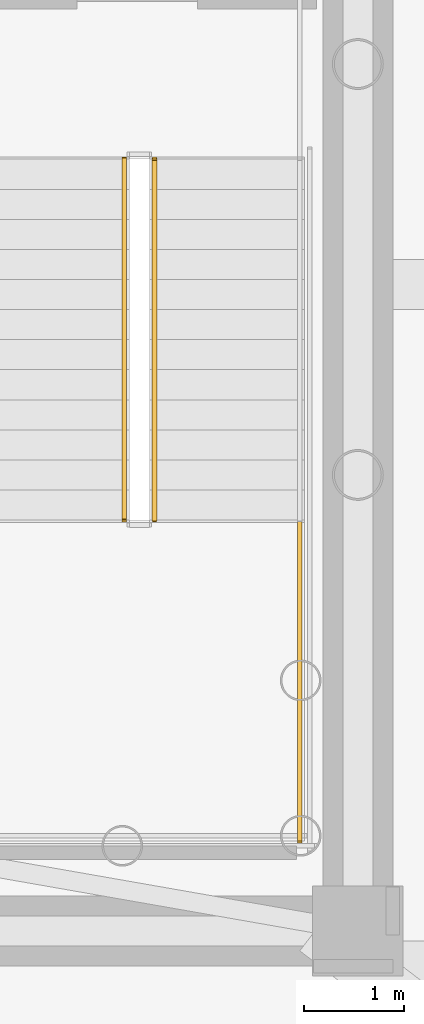
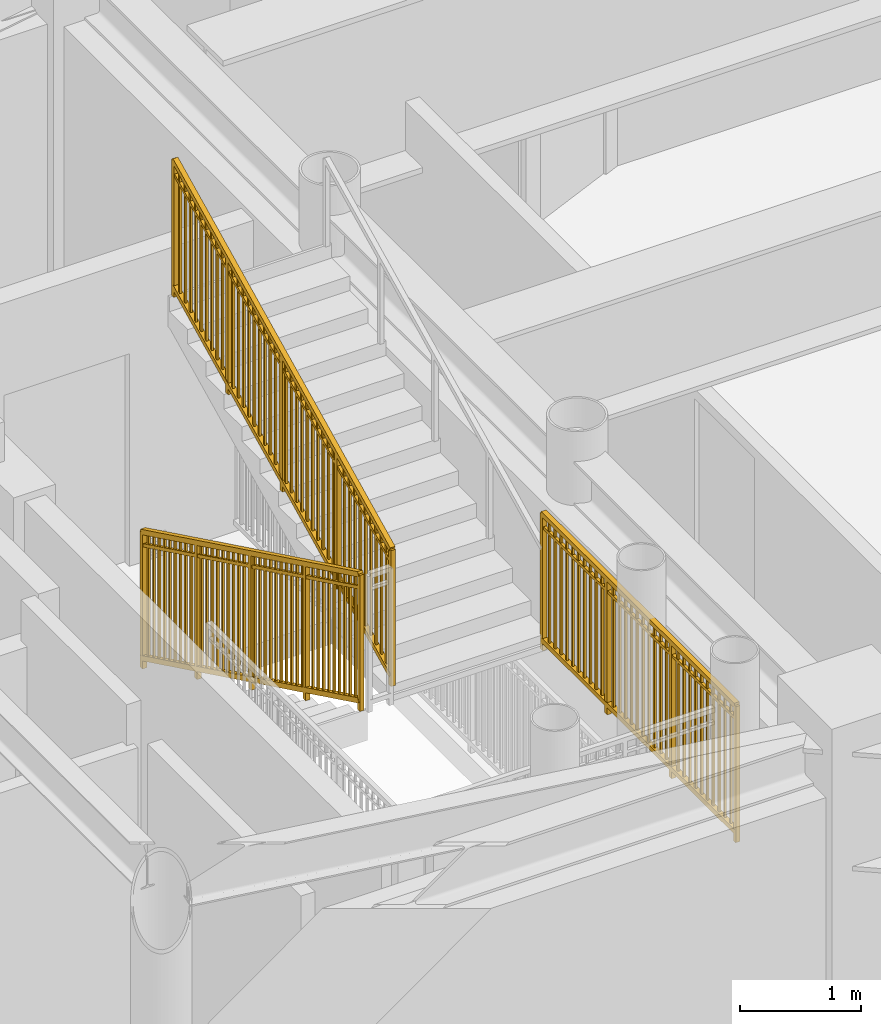
# One storey, part 13 of 16: 3 railings.
"""IFC4 building model written with IfcOpenShell, lengths in metres."""

from ifc_helpers import new_model, si_unit, direction, frame, origin, origin_2d, place, context, subcontext, project, spatial, rectangle, extrude, source, transform, mapped, material, type_object, element, save


model = new_model("IFC4")

# Units and contexts
model_context = context("Model", 3, precision=1e-05, world=origin(), true_north=direction((0.0, 1.0)))
body_context = subcontext(model_context, "Body", "Model", "MODEL_VIEW")
ifc_project = project(units=[si_unit("LENGTHUNIT", "METRE"), si_unit("AREAUNIT", "SQUARE_METRE"), si_unit("VOLUMEUNIT", "CUBIC_METRE"), si_unit("PLANEANGLEUNIT", "RADIAN"), si_unit("MASSUNIT", "GRAM", prefix="KILO")], contexts=[model_context])

# Site, building, storey
site_placement = place(None, origin())
site = spatial("IfcSite", under=ifc_project, at=site_placement, CompositionType="ELEMENT")
building_placement = place(site_placement, origin())
building = spatial("IfcBuilding", under=site, at=building_placement, Name="Linh Dai School and Residence Tower", CompositionType="ELEMENT")
storey_placement = place(building_placement, frame((0.0, 0.0, 343.0)))
storey = spatial("IfcBuildingStorey", under=building, at=storey_placement, Name="L85", CompositionType="ELEMENT", Elevation=343.0)

# Railings
ifc_material = material(Name="Structural Steel S355JR", Category="steel")
railing_type = type_object("IfcRailingType", Name="RL-ST-GUARD-1400", PredefinedType="GUARDRAIL", material=ifc_material)
shared_shape_1 = source(origin(), body_context, "Body", "SweptSolid", [
    extrude(rectangle(XDim=0.048095703125, YDim=0.048095703125, at=origin_2d()), frame((0.0, 0.0, 1.3759765625), z_axis=(0.0, 0.898988637874, 0.437971949985), x_axis=(-1.0, 0.0, 0.0)), (0.0, 0.0, 1.0), 4.004638671875),
    extrude(rectangle(XDim=0.048095703125, YDim=0.048095703125, at=origin_2d()), frame((0.0, 0.0, 0.10009765625), z_axis=(0.0, 0.898988637874, 0.437971949985), x_axis=(-1.0, 0.0, 0.0)), (0.0, 0.0, 1.0), 4.004638671875),
    extrude(rectangle(XDim=0.030029296875, YDim=0.030029296875, at=origin_2d()), frame((0.0, 0.0, 1.239990234375), z_axis=(0.0, 0.898988637874, 0.437971949985), x_axis=(-1.0, 0.0, 0.0)), (0.0, 0.0, 1.0), 4.004638671875),
    extrude(rectangle(XDim=0.02001953125, YDim=0.02001953125, at=origin_2d()), frame((0.0, 0.087890625, 0.142822265625)), (0.0, 0.0, 1.0), 1.251708984375),
    extrude(rectangle(XDim=0.02001953125, YDim=0.02001953125, at=origin_2d()), frame((0.0, 0.175537109375, 0.185546875)), (0.0, 0.0, 1.0), 1.251708984375),
    extrude(rectangle(XDim=0.02001953125, YDim=0.02001953125, at=origin_2d()), frame((0.0, 0.263427734375, 0.228515625)), (0.0, 0.0, 1.0), 1.251708984375),
    extrude(rectangle(XDim=0.02001953125, YDim=0.02001953125, at=origin_2d()), frame((0.0, 0.351318359375, 0.271240234375)), (0.0, 0.0, 1.0), 1.251708984375),
    extrude(rectangle(XDim=0.02001953125, YDim=0.02001953125, at=origin_2d()), frame((0.0, 0.43896484375, 0.31396484375)), (0.0, 0.0, 1.0), 1.251708984375),
    extrude(rectangle(XDim=0.02001953125, YDim=0.02001953125, at=origin_2d()), frame((0.0, 0.52685546875, 0.356689453125)), (0.0, 0.0, 1.0), 1.251708984375),
    extrude(rectangle(XDim=0.02001953125, YDim=0.02001953125, at=origin_2d()), frame((0.0, 0.61474609375, 0.399658203125)), (0.0, 0.0, 1.0), 1.251708984375),
    extrude(rectangle(XDim=0.02001953125, YDim=0.02001953125, at=origin_2d()), frame((0.0, 0.702392578125, 0.4423828125)), (0.0, 0.0, 1.0), 1.251708984375),
    extrude(rectangle(XDim=0.02001953125, YDim=0.02001953125, at=origin_2d()), frame((0.0, 0.790283203125, 0.485107421875)), (0.0, 0.0, 1.0), 1.251708984375),
    extrude(rectangle(XDim=0.02001953125, YDim=0.02001953125, at=origin_2d()), frame((0.0, 0.9658203125, 0.570556640625)), (0.0, 0.0, 1.0), 1.251708984375),
    extrude(rectangle(XDim=0.02001953125, YDim=0.02001953125, at=origin_2d()), frame((0.0, 1.0537109375, 0.613525390625)), (0.0, 0.0, 1.0), 1.251708984375),
    extrude(rectangle(XDim=0.02001953125, YDim=0.02001953125, at=origin_2d()), frame((0.0, 1.1416015625, 0.65625)), (0.0, 0.0, 1.0), 1.251708984375),
    extrude(rectangle(XDim=0.02001953125, YDim=0.02001953125, at=origin_2d()), frame((0.0, 1.229248046875, 0.698974609375)), (0.0, 0.0, 1.0), 1.251708984375),
    extrude(rectangle(XDim=0.02001953125, YDim=0.02001953125, at=origin_2d()), frame((0.0, 1.317138671875, 0.74169921875)), (0.0, 0.0, 1.0), 1.251708984375),
    extrude(rectangle(XDim=0.02001953125, YDim=0.02001953125, at=origin_2d()), frame((0.0, 1.405029296875, 0.78466796875)), (0.0, 0.0, 1.0), 1.251708984375),
    extrude(rectangle(XDim=0.02001953125, YDim=0.02001953125, at=origin_2d()), frame((0.0, 1.49267578125, 0.827392578125)), (0.0, 0.0, 1.0), 1.251708984375),
    extrude(rectangle(XDim=0.02001953125, YDim=0.02001953125, at=origin_2d()), frame((0.0, 1.58056640625, 0.8701171875)), (0.0, 0.0, 1.0), 1.251708984375),
    extrude(rectangle(XDim=0.02001953125, YDim=0.02001953125, at=origin_2d()), frame((0.0, 1.66845703125, 0.912841796875)), (0.0, 0.0, 1.0), 1.251708984375),
    extrude(rectangle(XDim=0.02001953125, YDim=0.02001953125, at=origin_2d()), frame((0.0, 1.756103515625, 0.95556640625)), (0.0, 0.0, 1.0), 1.251708984375),
    extrude(rectangle(XDim=0.02001953125, YDim=0.02001953125, at=origin_2d()), frame((0.0, 1.843994140625, 0.99853515625)), (0.0, 0.0, 1.0), 1.251708984375),
    extrude(rectangle(XDim=0.02001953125, YDim=0.02001953125, at=origin_2d()), frame((0.0, 1.931640625, 1.041259765625)), (0.0, 0.0, 1.0), 1.251708984375),
    extrude(rectangle(XDim=0.02001953125, YDim=0.02001953125, at=origin_2d()), frame((0.0, 2.01953125, 1.083984375)), (0.0, 0.0, 1.0), 1.251708984375),
    extrude(rectangle(XDim=0.02001953125, YDim=0.02001953125, at=origin_2d()), frame((0.0, 2.107421875, 1.126708984375)), (0.0, 0.0, 1.0), 1.251708984375),
    extrude(rectangle(XDim=0.02001953125, YDim=0.02001953125, at=origin_2d()), frame((0.0, 2.195068359375, 1.16943359375)), (0.0, 0.0, 1.0), 1.251708984375),
    extrude(rectangle(XDim=0.02001953125, YDim=0.02001953125, at=origin_2d()), frame((0.0, 2.282958984375, 1.21240234375)), (0.0, 0.0, 1.0), 1.251708984375),
    extrude(rectangle(XDim=0.02001953125, YDim=0.02001953125, at=origin_2d()), frame((0.0, 2.370849609375, 1.255126953125)), (0.0, 0.0, 1.0), 1.251708984375),
    extrude(rectangle(XDim=0.02001953125, YDim=0.02001953125, at=origin_2d()), frame((0.0, 2.45849609375, 1.2978515625)), (0.0, 0.0, 1.0), 1.251708984375),
    extrude(rectangle(XDim=0.02001953125, YDim=0.02001953125, at=origin_2d()), frame((0.0, 2.54638671875, 1.340576171875)), (0.0, 0.0, 1.0), 1.251708984375),
    extrude(rectangle(XDim=0.02001953125, YDim=0.02001953125, at=origin_2d()), frame((0.0, 2.63427734375, 1.383544921875)), (0.0, 0.0, 1.0), 1.251708984375),
    extrude(rectangle(XDim=0.02001953125, YDim=0.02001953125, at=origin_2d()), frame((0.0, 2.809814453125, 1.468994140625)), (0.0, 0.0, 1.0), 1.251708984375),
    extrude(rectangle(XDim=0.02001953125, YDim=0.02001953125, at=origin_2d()), frame((0.0, 2.897705078125, 1.51171875)), (0.0, 0.0, 1.0), 1.251708984375),
    extrude(rectangle(XDim=0.02001953125, YDim=0.02001953125, at=origin_2d()), frame((0.0, 2.9853515625, 1.554443359375)), (0.0, 0.0, 1.0), 1.251708984375),
    extrude(rectangle(XDim=0.02001953125, YDim=0.02001953125, at=origin_2d()), frame((0.0, 3.0732421875, 1.597412109375)), (0.0, 0.0, 1.0), 1.251708984375),
    extrude(rectangle(XDim=0.02001953125, YDim=0.02001953125, at=origin_2d()), frame((0.0, 3.1611328125, 1.64013671875)), (0.0, 0.0, 1.0), 1.251708984375),
    extrude(rectangle(XDim=0.02001953125, YDim=0.02001953125, at=origin_2d()), frame((0.0, 3.248779296875, 1.682861328125)), (0.0, 0.0, 1.0), 1.251708984375),
    extrude(rectangle(XDim=0.02001953125, YDim=0.02001953125, at=origin_2d()), frame((0.0, 3.336669921875, 1.7255859375)), (0.0, 0.0, 1.0), 1.251708984375),
    extrude(rectangle(XDim=0.02001953125, YDim=0.02001953125, at=origin_2d()), frame((0.0, 3.424560546875, 1.7685546875)), (0.0, 0.0, 1.0), 1.251708984375),
    extrude(rectangle(XDim=0.02001953125, YDim=0.02001953125, at=origin_2d()), frame((0.0, 3.51220703125, 1.811279296875)), (0.0, 0.0, 1.0), 1.251708984375),
    extrude(rectangle(XDim=0.0419921875, YDim=0.0419921875, at=origin_2d()), origin(), (0.0, 0.0, 1.0), 1.3759765625),
    extrude(rectangle(XDim=0.0419921875, YDim=0.0419921875, at=origin_2d()), frame((0.0, 0.89990234375, 0.4384765625)), (0.0, 0.0, 1.0), 1.3759765625),
    extrude(rectangle(XDim=0.0419921875, YDim=0.0419921875, at=origin_2d()), frame((0.0, 1.800048828125, 0.876953125)), (0.0, 0.0, 1.0), 1.3759765625),
    extrude(rectangle(XDim=0.0419921875, YDim=0.0419921875, at=origin_2d()), frame((0.0, 2.7001953125, 1.3154296875)), (0.0, 0.0, 1.0), 1.3759765625),
    extrude(rectangle(XDim=0.0419921875, YDim=0.0419921875, at=origin_2d()), frame((0.0, 3.60009765625, 1.75390625)), (0.0, 0.0, 1.0), 1.3759765625),
])
railing_1_placement = place(storey_placement, frame((42.820068359375, 24.64990234375, 2.046142578125)))
element("IfcRailing", 1, at=railing_1_placement, inside=storey, type_object=railing_type, Name="L85 ST2 stair guard 6", PredefinedType="GUARDRAIL", context=body_context, shape_type="MappedRepresentation", body=[
    mapped(shared_shape_1, transform((0.0, 0.0, 0.0), x_axis=(1.0, 0.0, 0.0), y_axis=(0.0, 1.0, 0.0), z_axis=(0.0, 0.0, 1.0), scale=1.0)),
])
shared_shape_2 = source(origin(), body_context, "Body", "SweptSolid", [
    extrude(rectangle(XDim=0.048095703125, YDim=0.048095703125, at=origin_2d()), frame((0.0, 0.0, 1.3759765625), z_axis=(0.0, -0.899012640991, 0.437922677352), x_axis=(1.0, 0.0, 0.0)), (0.0, 0.0, 1.0), 4.00439453125),
    extrude(rectangle(XDim=0.048095703125, YDim=0.048095703125, at=origin_2d()), frame((0.0, 0.0, 0.10009765625), z_axis=(0.0, -0.899012640991, 0.437922677352), x_axis=(1.0, 0.0, 0.0)), (0.0, 0.0, 1.0), 4.00439453125),
    extrude(rectangle(XDim=0.030029296875, YDim=0.030029296875, at=origin_2d()), frame((0.0, 0.0, 1.239990234375), z_axis=(0.0, -0.899012640991, 0.437922677352), x_axis=(1.0, 0.0, 0.0)), (0.0, 0.0, 1.0), 4.00439453125),
    extrude(rectangle(XDim=0.02001953125, YDim=0.02001953125, at=origin_2d()), frame((0.0, -0.087890625, 0.142822265625)), (0.0, 0.0, 1.0), 1.251708984375),
    extrude(rectangle(XDim=0.02001953125, YDim=0.02001953125, at=origin_2d()), frame((0.0, -0.175537109375, 0.185546875)), (0.0, 0.0, 1.0), 1.251708984375),
    extrude(rectangle(XDim=0.02001953125, YDim=0.02001953125, at=origin_2d()), frame((0.0, -0.263427734375, 0.228515625)), (0.0, 0.0, 1.0), 1.251708984375),
    extrude(rectangle(XDim=0.02001953125, YDim=0.02001953125, at=origin_2d()), frame((0.0, -0.351318359375, 0.271240234375)), (0.0, 0.0, 1.0), 1.251708984375),
    extrude(rectangle(XDim=0.02001953125, YDim=0.02001953125, at=origin_2d()), frame((0.0, -0.43896484375, 0.31396484375)), (0.0, 0.0, 1.0), 1.251708984375),
    extrude(rectangle(XDim=0.02001953125, YDim=0.02001953125, at=origin_2d()), frame((0.0, -0.52685546875, 0.356689453125)), (0.0, 0.0, 1.0), 1.251708984375),
    extrude(rectangle(XDim=0.02001953125, YDim=0.02001953125, at=origin_2d()), frame((0.0, -0.61474609375, 0.3994140625)), (0.0, 0.0, 1.0), 1.251708984375),
    extrude(rectangle(XDim=0.02001953125, YDim=0.02001953125, at=origin_2d()), frame((0.0, -0.702392578125, 0.4423828125)), (0.0, 0.0, 1.0), 1.251708984375),
    extrude(rectangle(XDim=0.02001953125, YDim=0.02001953125, at=origin_2d()), frame((0.0, -0.790283203125, 0.485107421875)), (0.0, 0.0, 1.0), 1.251708984375),
    extrude(rectangle(XDim=0.02001953125, YDim=0.02001953125, at=origin_2d()), frame((0.0, -0.9658203125, 0.570556640625)), (0.0, 0.0, 1.0), 1.251708984375),
    extrude(rectangle(XDim=0.02001953125, YDim=0.02001953125, at=origin_2d()), frame((0.0, -1.0537109375, 0.61328125)), (0.0, 0.0, 1.0), 1.251708984375),
    extrude(rectangle(XDim=0.02001953125, YDim=0.02001953125, at=origin_2d()), frame((0.0, -1.1416015625, 0.65625)), (0.0, 0.0, 1.0), 1.251708984375),
    extrude(rectangle(XDim=0.02001953125, YDim=0.02001953125, at=origin_2d()), frame((0.0, -1.229248046875, 0.698974609375)), (0.0, 0.0, 1.0), 1.251708984375),
    extrude(rectangle(XDim=0.02001953125, YDim=0.02001953125, at=origin_2d()), frame((0.0, -1.317138671875, 0.74169921875)), (0.0, 0.0, 1.0), 1.251708984375),
    extrude(rectangle(XDim=0.02001953125, YDim=0.02001953125, at=origin_2d()), frame((0.0, -1.405029296875, 0.784423828125)), (0.0, 0.0, 1.0), 1.251708984375),
    extrude(rectangle(XDim=0.02001953125, YDim=0.02001953125, at=origin_2d()), frame((0.0, -1.49267578125, 0.8271484375)), (0.0, 0.0, 1.0), 1.251708984375),
    extrude(rectangle(XDim=0.02001953125, YDim=0.02001953125, at=origin_2d()), frame((0.0, -1.58056640625, 0.8701171875)), (0.0, 0.0, 1.0), 1.251708984375),
    extrude(rectangle(XDim=0.02001953125, YDim=0.02001953125, at=origin_2d()), frame((0.0, -1.66845703125, 0.912841796875)), (0.0, 0.0, 1.0), 1.251708984375),
    extrude(rectangle(XDim=0.02001953125, YDim=0.02001953125, at=origin_2d()), frame((0.0, -1.756103515625, 0.95556640625)), (0.0, 0.0, 1.0), 1.251708984375),
    extrude(rectangle(XDim=0.02001953125, YDim=0.02001953125, at=origin_2d()), frame((0.0, -1.843994140625, 0.998291015625)), (0.0, 0.0, 1.0), 1.251708984375),
    extrude(rectangle(XDim=0.02001953125, YDim=0.02001953125, at=origin_2d()), frame((0.0, -1.931640625, 1.041015625)), (0.0, 0.0, 1.0), 1.251708984375),
    extrude(rectangle(XDim=0.02001953125, YDim=0.02001953125, at=origin_2d()), frame((0.0, -2.01953125, 1.083740234375)), (0.0, 0.0, 1.0), 1.251708984375),
    extrude(rectangle(XDim=0.02001953125, YDim=0.02001953125, at=origin_2d()), frame((0.0, -2.107421875, 1.126708984375)), (0.0, 0.0, 1.0), 1.251708984375),
    extrude(rectangle(XDim=0.02001953125, YDim=0.02001953125, at=origin_2d()), frame((0.0, -2.195068359375, 1.16943359375)), (0.0, 0.0, 1.0), 1.251708984375),
    extrude(rectangle(XDim=0.02001953125, YDim=0.02001953125, at=origin_2d()), frame((0.0, -2.282958984375, 1.212158203125)), (0.0, 0.0, 1.0), 1.251708984375),
    extrude(rectangle(XDim=0.02001953125, YDim=0.02001953125, at=origin_2d()), frame((0.0, -2.370849609375, 1.2548828125)), (0.0, 0.0, 1.0), 1.251708984375),
    extrude(rectangle(XDim=0.02001953125, YDim=0.02001953125, at=origin_2d()), frame((0.0, -2.45849609375, 1.297607421875)), (0.0, 0.0, 1.0), 1.251708984375),
    extrude(rectangle(XDim=0.02001953125, YDim=0.02001953125, at=origin_2d()), frame((0.0, -2.54638671875, 1.340576171875)), (0.0, 0.0, 1.0), 1.251708984375),
    extrude(rectangle(XDim=0.02001953125, YDim=0.02001953125, at=origin_2d()), frame((0.0, -2.63427734375, 1.38330078125)), (0.0, 0.0, 1.0), 1.251708984375),
    extrude(rectangle(XDim=0.02001953125, YDim=0.02001953125, at=origin_2d()), frame((0.0, -2.809814453125, 1.46875)), (0.0, 0.0, 1.0), 1.251708984375),
    extrude(rectangle(XDim=0.02001953125, YDim=0.02001953125, at=origin_2d()), frame((0.0, -2.897705078125, 1.511474609375)), (0.0, 0.0, 1.0), 1.251708984375),
    extrude(rectangle(XDim=0.02001953125, YDim=0.02001953125, at=origin_2d()), frame((0.0, -2.9853515625, 1.554443359375)), (0.0, 0.0, 1.0), 1.251708984375),
    extrude(rectangle(XDim=0.02001953125, YDim=0.02001953125, at=origin_2d()), frame((0.0, -3.0732421875, 1.59716796875)), (0.0, 0.0, 1.0), 1.251708984375),
    extrude(rectangle(XDim=0.02001953125, YDim=0.02001953125, at=origin_2d()), frame((0.0, -3.1611328125, 1.639892578125)), (0.0, 0.0, 1.0), 1.251708984375),
    extrude(rectangle(XDim=0.02001953125, YDim=0.02001953125, at=origin_2d()), frame((0.0, -3.248779296875, 1.6826171875)), (0.0, 0.0, 1.0), 1.251708984375),
    extrude(rectangle(XDim=0.02001953125, YDim=0.02001953125, at=origin_2d()), frame((0.0, -3.336669921875, 1.725341796875)), (0.0, 0.0, 1.0), 1.251708984375),
    extrude(rectangle(XDim=0.02001953125, YDim=0.02001953125, at=origin_2d()), frame((0.0, -3.424560546875, 1.768310546875)), (0.0, 0.0, 1.0), 1.251708984375),
    extrude(rectangle(XDim=0.02001953125, YDim=0.02001953125, at=origin_2d()), frame((0.0, -3.51220703125, 1.81103515625)), (0.0, 0.0, 1.0), 1.251708984375),
    extrude(rectangle(XDim=0.0419921875, YDim=0.0419921875, at=origin_2d()), origin(), (0.0, 0.0, 1.0), 1.3759765625),
    extrude(rectangle(XDim=0.0419921875, YDim=0.0419921875, at=origin_2d()), frame((0.0, -0.89990234375, 0.4384765625)), (0.0, 0.0, 1.0), 1.3759765625),
    extrude(rectangle(XDim=0.0419921875, YDim=0.0419921875, at=origin_2d()), frame((0.0, -1.800048828125, 0.876953125)), (0.0, 0.0, 1.0), 1.3759765625),
    extrude(rectangle(XDim=0.0419921875, YDim=0.0419921875, at=origin_2d()), frame((0.0, -2.7001953125, 1.315185546875)), (0.0, 0.0, 1.0), 1.3759765625),
    extrude(rectangle(XDim=0.0419921875, YDim=0.0419921875, at=origin_2d()), frame((0.0, -3.60009765625, 1.753662109375)), (0.0, 0.0, 1.0), 1.3759765625),
])
railing_2_placement = place(storey_placement, frame((42.52001953125, 28.25, 0.146240234375)))
element("IfcRailing", 2, at=railing_2_placement, inside=storey, type_object=railing_type, Name="L85 ST2 stair guard 1", PredefinedType="GUARDRAIL", context=body_context, shape_type="MappedRepresentation", body=[
    mapped(shared_shape_2, transform((0.0, 0.0, 0.0), x_axis=(1.0, 0.0, 0.0), y_axis=(0.0, 1.0, 0.0), z_axis=(0.0, 0.0, 1.0), scale=1.0)),
])
shared_shape_3 = source(origin(), body_context, "Body", "SweptSolid", [
    extrude(rectangle(XDim=0.048095703125, YDim=0.048095703125, at=origin_2d()), frame((0.0, 0.0, 1.3759765625), z_axis=(0.0, -1.0, 0.0), x_axis=(1.0, 0.0, 0.0)), (0.0, 0.0, 1.0), 3.199951171875),
    extrude(rectangle(XDim=0.048095703125, YDim=0.048095703125, at=origin_2d()), frame((0.0, 0.0, 0.10009765625), z_axis=(0.0, -1.0, 0.0), x_axis=(1.0, 0.0, 0.0)), (0.0, 0.0, 1.0), 3.199951171875),
    extrude(rectangle(XDim=0.030029296875, YDim=0.030029296875, at=origin_2d()), frame((0.0, 0.0, 1.239990234375), z_axis=(0.0, -1.0, 0.0), x_axis=(1.0, 0.0, 0.0)), (0.0, 0.0, 1.0), 3.199951171875),
    extrude(rectangle(XDim=0.02001953125, YDim=0.02001953125, at=origin_2d()), frame((0.0, -0.096923828125, 0.10009765625)), (0.0, 0.0, 1.0), 1.251708984375),
    extrude(rectangle(XDim=0.02001953125, YDim=0.02001953125, at=origin_2d()), frame((0.0, -0.19384765625, 0.10009765625)), (0.0, 0.0, 1.0), 1.251708984375),
    extrude(rectangle(XDim=0.02001953125, YDim=0.02001953125, at=origin_2d()), frame((0.0, -0.291015625, 0.10009765625)), (0.0, 0.0, 1.0), 1.251708984375),
    extrude(rectangle(XDim=0.02001953125, YDim=0.02001953125, at=origin_2d()), frame((0.0, -0.387939453125, 0.10009765625)), (0.0, 0.0, 1.0), 1.251708984375),
    extrude(rectangle(XDim=0.02001953125, YDim=0.02001953125, at=origin_2d()), frame((0.0, -0.48486328125, 0.10009765625)), (0.0, 0.0, 1.0), 1.251708984375),
    extrude(rectangle(XDim=0.02001953125, YDim=0.02001953125, at=origin_2d()), frame((0.0, -0.581787109375, 0.10009765625)), (0.0, 0.0, 1.0), 1.251708984375),
    extrude(rectangle(XDim=0.02001953125, YDim=0.02001953125, at=origin_2d()), frame((0.0, -0.6787109375, 0.10009765625)), (0.0, 0.0, 1.0), 1.251708984375),
    extrude(rectangle(XDim=0.02001953125, YDim=0.02001953125, at=origin_2d()), frame((0.0, -0.775634765625, 0.10009765625)), (0.0, 0.0, 1.0), 1.251708984375),
    extrude(rectangle(XDim=0.02001953125, YDim=0.02001953125, at=origin_2d()), frame((0.0, -0.872802734375, 0.10009765625)), (0.0, 0.0, 1.0), 1.251708984375),
    extrude(rectangle(XDim=0.02001953125, YDim=0.02001953125, at=origin_2d()), frame((0.0, -0.9697265625, 0.10009765625)), (0.0, 0.0, 1.0), 1.251708984375),
    extrude(rectangle(XDim=0.02001953125, YDim=0.02001953125, at=origin_2d()), frame((0.0, -1.16357421875, 0.10009765625)), (0.0, 0.0, 1.0), 1.251708984375),
    extrude(rectangle(XDim=0.02001953125, YDim=0.02001953125, at=origin_2d()), frame((0.0, -1.260498046875, 0.10009765625)), (0.0, 0.0, 1.0), 1.251708984375),
    extrude(rectangle(XDim=0.02001953125, YDim=0.02001953125, at=origin_2d()), frame((0.0, -1.357666015625, 0.10009765625)), (0.0, 0.0, 1.0), 1.251708984375),
    extrude(rectangle(XDim=0.02001953125, YDim=0.02001953125, at=origin_2d()), frame((0.0, -1.45458984375, 0.10009765625)), (0.0, 0.0, 1.0), 1.251708984375),
    extrude(rectangle(XDim=0.02001953125, YDim=0.02001953125, at=origin_2d()), frame((0.0, -1.551513671875, 0.10009765625)), (0.0, 0.0, 1.0), 1.251708984375),
    extrude(rectangle(XDim=0.02001953125, YDim=0.02001953125, at=origin_2d()), frame((0.0, -1.6484375, 0.10009765625)), (0.0, 0.0, 1.0), 1.251708984375),
    extrude(rectangle(XDim=0.02001953125, YDim=0.02001953125, at=origin_2d()), frame((0.0, -1.745361328125, 0.10009765625)), (0.0, 0.0, 1.0), 1.251708984375),
    extrude(rectangle(XDim=0.02001953125, YDim=0.02001953125, at=origin_2d()), frame((0.0, -1.84228515625, 0.10009765625)), (0.0, 0.0, 1.0), 1.251708984375),
    extrude(rectangle(XDim=0.02001953125, YDim=0.02001953125, at=origin_2d()), frame((0.0, -1.939453125, 0.10009765625)), (0.0, 0.0, 1.0), 1.251708984375),
    extrude(rectangle(XDim=0.02001953125, YDim=0.02001953125, at=origin_2d()), frame((0.0, -2.036376953125, 0.10009765625)), (0.0, 0.0, 1.0), 1.251708984375),
    extrude(rectangle(XDim=0.02001953125, YDim=0.02001953125, at=origin_2d()), frame((0.0, -2.230224609375, 0.10009765625)), (0.0, 0.0, 1.0), 1.251708984375),
    extrude(rectangle(XDim=0.02001953125, YDim=0.02001953125, at=origin_2d()), frame((0.0, -2.3271484375, 0.10009765625)), (0.0, 0.0, 1.0), 1.251708984375),
    extrude(rectangle(XDim=0.02001953125, YDim=0.02001953125, at=origin_2d()), frame((0.0, -2.42431640625, 0.10009765625)), (0.0, 0.0, 1.0), 1.251708984375),
    extrude(rectangle(XDim=0.02001953125, YDim=0.02001953125, at=origin_2d()), frame((0.0, -2.521240234375, 0.10009765625)), (0.0, 0.0, 1.0), 1.251708984375),
    extrude(rectangle(XDim=0.02001953125, YDim=0.02001953125, at=origin_2d()), frame((0.0, -2.6181640625, 0.10009765625)), (0.0, 0.0, 1.0), 1.251708984375),
    extrude(rectangle(XDim=0.02001953125, YDim=0.02001953125, at=origin_2d()), frame((0.0, -2.715087890625, 0.10009765625)), (0.0, 0.0, 1.0), 1.251708984375),
    extrude(rectangle(XDim=0.02001953125, YDim=0.02001953125, at=origin_2d()), frame((0.0, -2.81201171875, 0.10009765625)), (0.0, 0.0, 1.0), 1.251708984375),
    extrude(rectangle(XDim=0.02001953125, YDim=0.02001953125, at=origin_2d()), frame((0.0, -2.908935546875, 0.10009765625)), (0.0, 0.0, 1.0), 1.251708984375),
    extrude(rectangle(XDim=0.02001953125, YDim=0.02001953125, at=origin_2d()), frame((0.0, -3.006103515625, 0.10009765625)), (0.0, 0.0, 1.0), 1.251708984375),
    extrude(rectangle(XDim=0.02001953125, YDim=0.02001953125, at=origin_2d()), frame((0.0, -3.10302734375, 0.10009765625)), (0.0, 0.0, 1.0), 1.251708984375),
    extrude(rectangle(XDim=0.0419921875, YDim=0.0419921875, at=origin_2d()), origin(), (0.0, 0.0, 1.0), 1.3759765625),
    extrude(rectangle(XDim=0.0419921875, YDim=0.0419921875, at=origin_2d()), frame((0.0, -1.066650390625, 0.0)), (0.0, 0.0, 1.0), 1.3759765625),
    extrude(rectangle(XDim=0.0419921875, YDim=0.0419921875, at=origin_2d()), frame((0.0, -2.13330078125, 0.0)), (0.0, 0.0, 1.0), 1.3759765625),
    extrude(rectangle(XDim=0.0419921875, YDim=0.0419921875, at=origin_2d()), frame((0.0, -3.199951171875, 0.0)), (0.0, 0.0, 1.0), 1.3759765625),
])
railing_3_placement = place(storey_placement, frame((44.27001953125, 24.64990234375, 1.89990234375)))
element("IfcRailing", 3, at=railing_3_placement, inside=storey, type_object=railing_type, Name="L85 ST2 stair guard 4", PredefinedType="GUARDRAIL", context=body_context, shape_type="MappedRepresentation", body=[
    mapped(shared_shape_3, transform((0.0, 0.0, 0.0), x_axis=(1.0, 0.0, 0.0), y_axis=(0.0, 1.0, 0.0), z_axis=(0.0, 0.0, 1.0), scale=1.0)),
])

save(model, "model.ifc")
